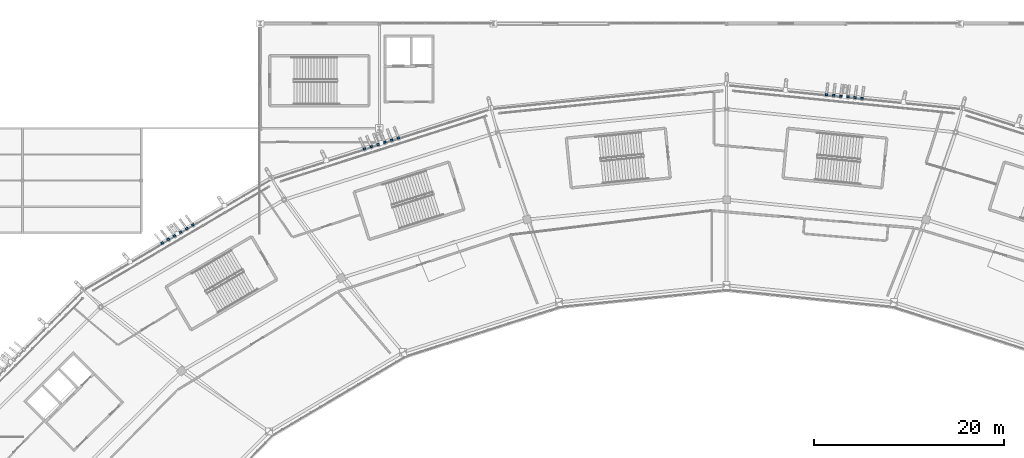
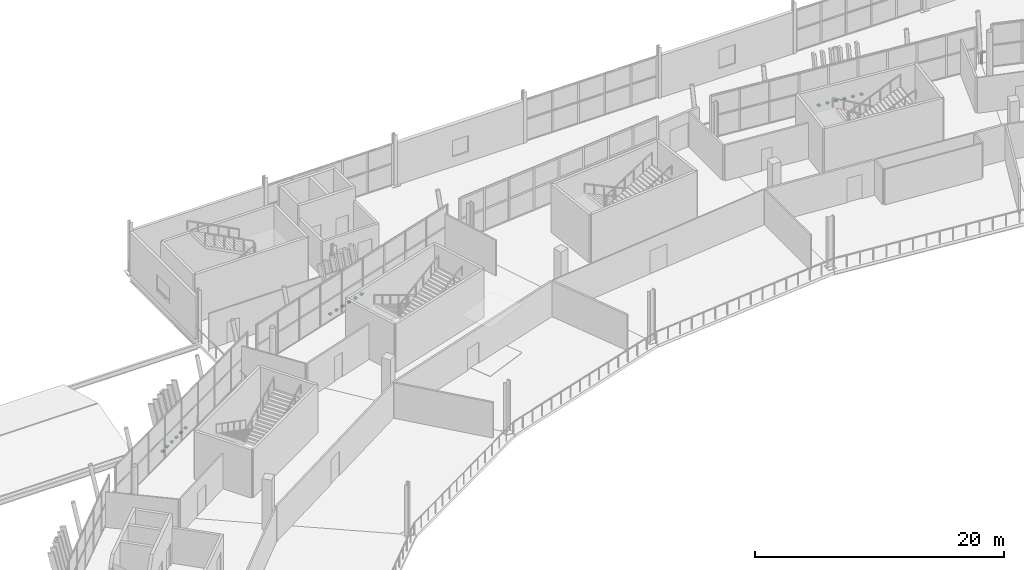
# One storey, part 144 of 179: 18 discrete accessories.
"""IFC4 building model written with IfcOpenShell, lengths in metres."""

from ifc_helpers import new_model, si_unit, direction, frame, origin, origin_2d, place, context, subcontext, project, spatial, rectangle, extrude, material, type_object, element, save


model = new_model("IFC4")

# Units and contexts
model_context = context("Model", 3, precision=1e-05, world=origin(), true_north=direction((0.0, 1.0)))
body_context = subcontext(model_context, "Body", "Model", "MODEL_VIEW")
ifc_project = project(units=[si_unit("LENGTHUNIT", "METRE"), si_unit("AREAUNIT", "SQUARE_METRE"), si_unit("VOLUMEUNIT", "CUBIC_METRE"), si_unit("PLANEANGLEUNIT", "RADIAN"), si_unit("MASSUNIT", "GRAM", prefix="KILO")], contexts=[model_context])

# Site, building, storey
site_placement = place(None, origin())
site = spatial("IfcSite", under=ifc_project, at=site_placement, CompositionType="ELEMENT")
building_placement = place(site_placement, origin())
building = spatial("IfcBuilding", under=site, at=building_placement, Name="Zlatoyarsky Gate Stadium", CompositionType="ELEMENT")
storey_placement = place(building_placement, frame((0.0, 0.0, 10.60009765625)))
storey = spatial("IfcBuildingStorey", under=building, at=storey_placement, Name="L02", CompositionType="ELEMENT", Elevation=10.60009765625)

# Discrete accessories
ifc_material = material(Name="Steel S355", Category="steel")
discrete_accessory_type = type_object("IfcDiscreteAccessoryType", Name="STEEL LOUVRE ANCHOR BRACKET 260X220X160", PredefinedType="BRACKET", material=ifc_material)
for number, where, z_axis, x_axis, name in (
    (1, (125.236328125, 152.153076171875, -0.02001953125), (0.0, 0.0, 1.0), (-0.994902922915, 0.100837363985, 0.0), "Louvre anchor bracket L02-05-1"),
    (2, (124.490234375, 152.228515625, -0.02001953125), (0.0, 0.0, 1.0), (-0.994902922915, 0.100837363985, 0.0), "Louvre anchor bracket L02-05-2"),
    (3, (123.744140625, 152.30419921875, -0.02001953125), (0.0, 0.0, 1.0), (-0.994902922915, 0.100837363985, 0.0), "Louvre anchor bracket L02-05-3"),
    (4, (122.997802734375, 152.3798828125, -0.02001953125), (0.0, 0.0, 1.0), (-0.994902922915, 0.100837363985, 0.0), "Louvre anchor bracket L02-05-4"),
    (5, (122.251708984375, 152.45556640625, -0.02001953125), (0.0, 0.0, 1.0), (-0.994902922915, 0.100837363985, 0.0), "Louvre anchor bracket L02-05-5"),
    (6, (121.505615234375, 152.531005859375, -0.02001953125), (0.0, 0.0, 1.0), (-0.994902922915, 0.100837363985, 0.0), "Louvre anchor bracket L02-05-6"),
    (7, (76.516357421875, 147.981689453125, -0.02001953125), (0.0, 0.0, 1.0), (-0.952730591278, -0.303816425565, 0.0), "Louvre anchor bracket L02-07-1"),
    (8, (75.802001953125, 147.75390625, -0.02001953125), (0.0, 0.0, 1.0), (-0.952730591278, -0.303816425565, 0.0), "Louvre anchor bracket L02-07-2"),
    (9, (75.08740234375, 147.52587890625, -0.02001953125), (0.0, 0.0, 1.0), (-0.952730591278, -0.303816425565, 0.0), "Louvre anchor bracket L02-07-3"),
    (10, (74.372802734375, 147.298095703125, -0.02001953125), (0.0, 0.0, 1.0), (-0.952730591278, -0.303816425565, 0.0), "Louvre anchor bracket L02-07-4"),
    (11, (73.658203125, 147.0703125, -0.02001953125), (0.0, 0.0, 1.0), (-0.952730591278, -0.303816425565, 0.0), "Louvre anchor bracket L02-07-5"),
    (12, (72.943603515625, 146.84228515625, -0.02001953125), (0.0, 0.0, 1.0), (-0.952730591278, -0.303816425565, 0.0), "Louvre anchor bracket L02-07-6"),
    (13, (54.917236328125, 138.841796875, -0.02001953125), (0.0, 0.0, 1.0), (-0.860992664637, -0.508617372335, 0.0), "Louvre anchor bracket L02-08-1"),
    (14, (54.271484375, 138.460205078125, -0.02001953125), (0.0, 0.0, 1.0), (-0.860992664637, -0.508617372335, 0.0), "Louvre anchor bracket L02-08-2"),
    (15, (53.625732421875, 138.078857421875, -0.02001953125), (0.0, 0.0, 1.0), (-0.860992664637, -0.508617372335, 0.0), "Louvre anchor bracket L02-08-3"),
    (16, (52.97998046875, 137.697265625, -0.02001953125), (0.0, 0.0, 1.0), (-0.860992664637, -0.508617372335, 0.0), "Louvre anchor bracket L02-08-4"),
    (17, (52.334228515625, 137.31591796875, -0.02001953125), (0.0, 0.0, 1.0), (-0.860992664637, -0.508617372335, 0.0), "Louvre anchor bracket L02-08-5"),
    (18, (51.6884765625, 136.934326171875, -0.02001953125), (0.0, 0.0, 1.0), (-0.860992664637, -0.508617372335, 0.0), "Louvre anchor bracket L02-08-6"),
):
    element("IfcDiscreteAccessory", number, at=place(storey_placement, frame(where, z_axis=z_axis, x_axis=x_axis)), inside=storey, type_object=discrete_accessory_type, Name=name, PredefinedType="BRACKET", context=body_context, shape_type="SweptSolid", body=[
        extrude(rectangle(XDim=0.260009765625, YDim=0.219970703125, at=origin_2d()), origin(), (0.0, 0.0, 1.0), 0.159912109375),
    ])

save(model, "model.ifc")
